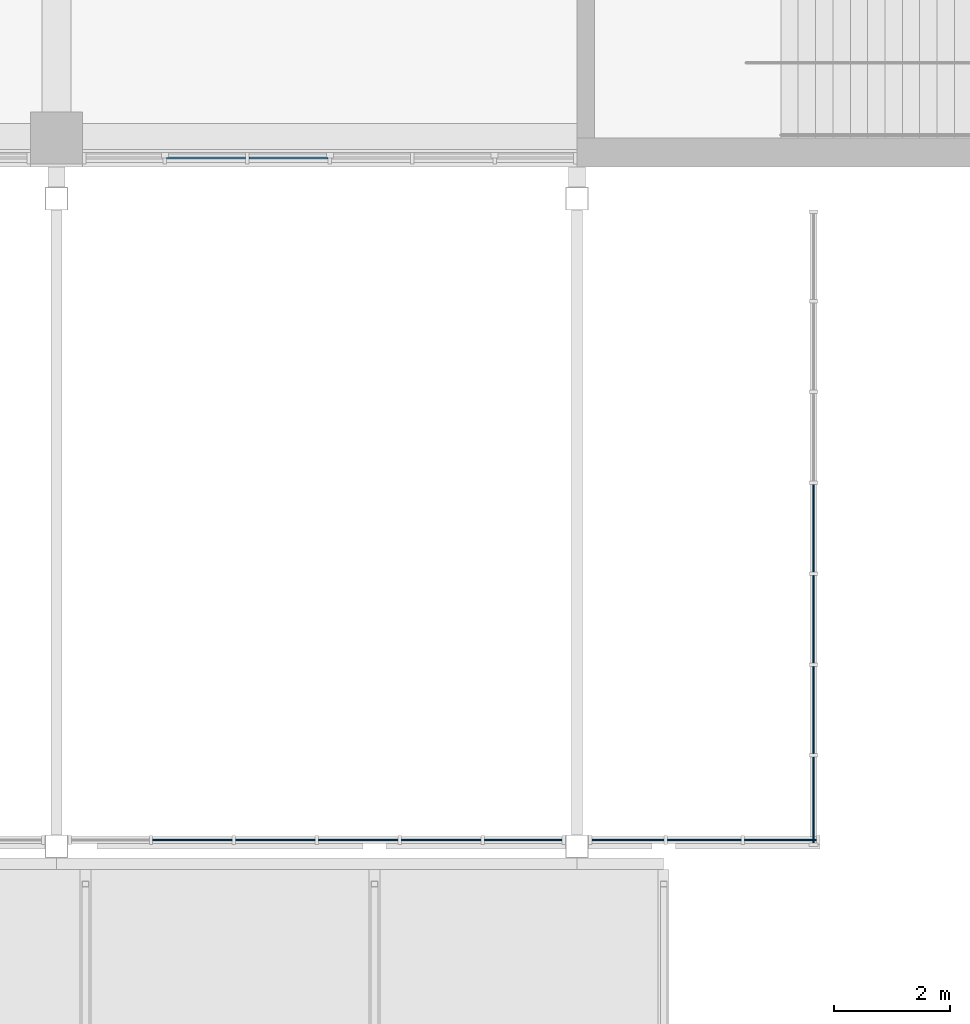
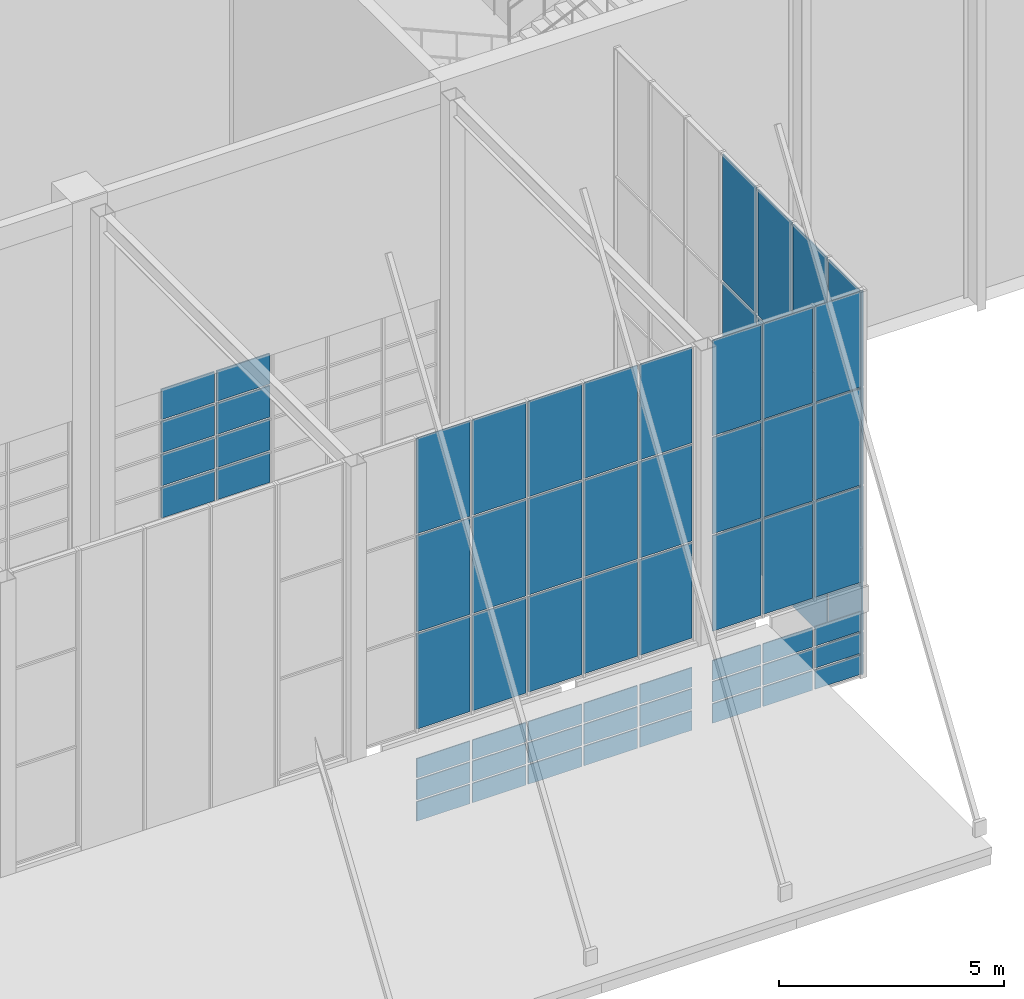
# One storey, part 72 of 182: 68 plates, 6 elements without a shape of their own.
"""IFC4 building model written with IfcOpenShell, lengths in metres."""

from ifc_helpers import new_model, si_unit, direction, frame, origin, origin_2d, place, context, subcontext, project, spatial, rectangle, extrude, material, layer, layer_set, type_object, element, aggregate, save


model = new_model("IFC4")

# Units and contexts
model_context = context("Model", 3, precision=1e-05, world=origin(), true_north=direction((0.0, 1.0)))
body_context = subcontext(model_context, "Body", "Model", "MODEL_VIEW")
ifc_project = project(units=[si_unit("LENGTHUNIT", "METRE"), si_unit("AREAUNIT", "SQUARE_METRE"), si_unit("VOLUMEUNIT", "CUBIC_METRE"), si_unit("PLANEANGLEUNIT", "RADIAN"), si_unit("MASSUNIT", "GRAM", prefix="KILO")], contexts=[model_context])

# Site, building, storey
site_placement = place(None, origin())
site = spatial("IfcSite", under=ifc_project, at=site_placement, CompositionType="ELEMENT")
building_placement = place(site_placement, origin())
building = spatial("IfcBuilding", under=site, at=building_placement, Name="Silverbay Arena", CompositionType="ELEMENT")
storey_placement = place(building_placement, frame((0.0, 0.0, 11.5)))
storey = spatial("IfcBuildingStorey", under=building, at=storey_placement, Name="L02", CompositionType="ELEMENT", Elevation=11.5)

# Curtain wall, plates
ifc_material_1 = material(Name="Aluminium framed curtain wall", Category="aluminium")
curtain_wall_type_1 = type_object("IfcCurtainWallType", Name="Curtain wall 8600 x 1800", PredefinedType="NOTDEFINED", material=ifc_material_1)
curtain_wall_1_placement = place(storey_placement, origin())
curtain_wall_1 = element("IfcCurtainWall", 1, at=curtain_wall_1_placement, inside=storey, type_object=curtain_wall_type_1, Name="South entrance hall S1 glazing F2", PredefinedType="NOTDEFINED")
ifc_material_2 = material(Name="Laminated glass", Category="glass")
ifc_layer_1 = layer(ifc_material_2, 0.028076171875)
ifc_layer_set_1 = layer_set([ifc_layer_1], Name="Laminated glass")
plate_type_1 = type_object("IfcPlateType", Name="Glass panel 28", PredefinedType="CURTAIN_PANEL", material=ifc_layer_set_1)
plate_1_placement = place(storey_placement, frame((137.35009765625, 5.860107421875, 0.050048828125), z_axis=(0.0, 0.0, 1.0), x_axis=(1.0, 0.0, 0.0)))
plate_1 = element("IfcPlate", 2, at=plate_1_placement, type_object=plate_type_1, Name="CW25 panel 2.1", PredefinedType="CURTAIN_PANEL", context=body_context, shape_type="SweptSolid", body=[
    extrude(rectangle(XDim=1.373291015625, YDim=0.028076171875, at=origin_2d()), origin(), (0.0, 0.0, 1.0), 0.52490234375),
])
plate_2_placement = place(storey_placement, frame((137.35009765625, 5.860107421875, 0.625), z_axis=(0.0, 0.0, 1.0), x_axis=(1.0, 0.0, 0.0)))
plate_2 = element("IfcPlate", 3, at=plate_2_placement, type_object=plate_type_1, Name="CW25 panel 2.2", PredefinedType="CURTAIN_PANEL", context=body_context, shape_type="SweptSolid", body=[
    extrude(rectangle(XDim=1.373291015625, YDim=0.028076171875, at=origin_2d()), origin(), (0.0, 0.0, 1.0), 0.550048828125),
])
plate_3_placement = place(storey_placement, frame((137.35009765625, 5.860107421875, 1.22509765625), z_axis=(0.0, 0.0, 1.0), x_axis=(1.0, 0.0, 0.0)))
plate_3 = element("IfcPlate", 4, at=plate_3_placement, type_object=plate_type_1, Name="CW25 panel 2.3", PredefinedType="CURTAIN_PANEL", context=body_context, shape_type="SweptSolid", body=[
    extrude(rectangle(XDim=1.373291015625, YDim=0.028076171875, at=origin_2d()), origin(), (0.0, 0.0, 1.0), 0.52490234375),
])
plate_4_placement = place(storey_placement, frame((138.783447265625, 5.860107421875, 0.050048828125), z_axis=(0.0, 0.0, 1.0), x_axis=(1.0, 0.0, 0.0)))
plate_4 = element("IfcPlate", 5, at=plate_4_placement, type_object=plate_type_1, Name="CW25 panel 3.1", PredefinedType="CURTAIN_PANEL", context=body_context, shape_type="SweptSolid", body=[
    extrude(rectangle(XDim=1.373291015625, YDim=0.028076171875, at=origin_2d()), origin(), (0.0, 0.0, 1.0), 0.52490234375),
])
plate_5_placement = place(storey_placement, frame((138.783447265625, 5.860107421875, 0.625), z_axis=(0.0, 0.0, 1.0), x_axis=(1.0, 0.0, 0.0)))
plate_5 = element("IfcPlate", 6, at=plate_5_placement, type_object=plate_type_1, Name="CW25 panel 3.2", PredefinedType="CURTAIN_PANEL", context=body_context, shape_type="SweptSolid", body=[
    extrude(rectangle(XDim=1.373291015625, YDim=0.028076171875, at=origin_2d()), origin(), (0.0, 0.0, 1.0), 0.550048828125),
])
plate_6_placement = place(storey_placement, frame((138.783447265625, 5.860107421875, 1.22509765625), z_axis=(0.0, 0.0, 1.0), x_axis=(1.0, 0.0, 0.0)))
plate_6 = element("IfcPlate", 7, at=plate_6_placement, type_object=plate_type_1, Name="CW25 panel 3.3", PredefinedType="CURTAIN_PANEL", context=body_context, shape_type="SweptSolid", body=[
    extrude(rectangle(XDim=1.373291015625, YDim=0.028076171875, at=origin_2d()), origin(), (0.0, 0.0, 1.0), 0.52490234375),
])
plate_7_placement = place(storey_placement, frame((140.216552734375, 5.860107421875, 0.050048828125), z_axis=(0.0, 0.0, 1.0), x_axis=(1.0, 0.0, 0.0)))
plate_7 = element("IfcPlate", 8, at=plate_7_placement, type_object=plate_type_1, Name="CW25 panel 4.1", PredefinedType="CURTAIN_PANEL", context=body_context, shape_type="SweptSolid", body=[
    extrude(rectangle(XDim=1.373291015625, YDim=0.028076171875, at=origin_2d()), origin(), (0.0, 0.0, 1.0), 0.52490234375),
])
plate_8_placement = place(storey_placement, frame((140.216552734375, 5.860107421875, 0.625), z_axis=(0.0, 0.0, 1.0), x_axis=(1.0, 0.0, 0.0)))
plate_8 = element("IfcPlate", 9, at=plate_8_placement, type_object=plate_type_1, Name="CW25 panel 4.2", PredefinedType="CURTAIN_PANEL", context=body_context, shape_type="SweptSolid", body=[
    extrude(rectangle(XDim=1.373291015625, YDim=0.028076171875, at=origin_2d()), origin(), (0.0, 0.0, 1.0), 0.550048828125),
])
plate_9_placement = place(storey_placement, frame((140.216552734375, 5.860107421875, 1.22509765625), z_axis=(0.0, 0.0, 1.0), x_axis=(1.0, 0.0, 0.0)))
plate_9 = element("IfcPlate", 10, at=plate_9_placement, type_object=plate_type_1, Name="CW25 panel 4.3", PredefinedType="CURTAIN_PANEL", context=body_context, shape_type="SweptSolid", body=[
    extrude(rectangle(XDim=1.373291015625, YDim=0.028076171875, at=origin_2d()), origin(), (0.0, 0.0, 1.0), 0.52490234375),
])
plate_10_placement = place(storey_placement, frame((141.64990234375, 5.860107421875, 0.050048828125), z_axis=(0.0, 0.0, 1.0), x_axis=(1.0, 0.0, 0.0)))
plate_10 = element("IfcPlate", 11, at=plate_10_placement, type_object=plate_type_1, Name="CW25 panel 5.1", PredefinedType="CURTAIN_PANEL", context=body_context, shape_type="SweptSolid", body=[
    extrude(rectangle(XDim=1.373291015625, YDim=0.028076171875, at=origin_2d()), origin(), (0.0, 0.0, 1.0), 0.52490234375),
])
plate_11_placement = place(storey_placement, frame((141.64990234375, 5.860107421875, 0.625), z_axis=(0.0, 0.0, 1.0), x_axis=(1.0, 0.0, 0.0)))
plate_11 = element("IfcPlate", 12, at=plate_11_placement, type_object=plate_type_1, Name="CW25 panel 5.2", PredefinedType="CURTAIN_PANEL", context=body_context, shape_type="SweptSolid", body=[
    extrude(rectangle(XDim=1.373291015625, YDim=0.028076171875, at=origin_2d()), origin(), (0.0, 0.0, 1.0), 0.550048828125),
])
plate_12_placement = place(storey_placement, frame((141.64990234375, 5.860107421875, 1.22509765625), z_axis=(0.0, 0.0, 1.0), x_axis=(1.0, 0.0, 0.0)))
plate_12 = element("IfcPlate", 13, at=plate_12_placement, type_object=plate_type_1, Name="CW25 panel 5.3", PredefinedType="CURTAIN_PANEL", context=body_context, shape_type="SweptSolid", body=[
    extrude(rectangle(XDim=1.373291015625, YDim=0.028076171875, at=origin_2d()), origin(), (0.0, 0.0, 1.0), 0.52490234375),
])
plate_13_placement = place(storey_placement, frame((143.068359375, 5.860107421875, 0.050048828125), z_axis=(0.0, 0.0, 1.0), x_axis=(1.0, 0.0, 0.0)))
plate_13 = element("IfcPlate", 14, at=plate_13_placement, type_object=plate_type_1, Name="CW25 panel 6.1", PredefinedType="CURTAIN_PANEL", context=body_context, shape_type="SweptSolid", body=[
    extrude(rectangle(XDim=1.34326171875, YDim=0.028076171875, at=origin_2d()), origin(), (0.0, 0.0, 1.0), 0.52490234375),
])
plate_14_placement = place(storey_placement, frame((143.068359375, 5.860107421875, 0.625), z_axis=(0.0, 0.0, 1.0), x_axis=(1.0, 0.0, 0.0)))
plate_14 = element("IfcPlate", 15, at=plate_14_placement, type_object=plate_type_1, Name="CW25 panel 6.2", PredefinedType="CURTAIN_PANEL", context=body_context, shape_type="SweptSolid", body=[
    extrude(rectangle(XDim=1.34326171875, YDim=0.028076171875, at=origin_2d()), origin(), (0.0, 0.0, 1.0), 0.550048828125),
])
plate_15_placement = place(storey_placement, frame((143.068359375, 5.860107421875, 1.22509765625), z_axis=(0.0, 0.0, 1.0), x_axis=(1.0, 0.0, 0.0)))
plate_15 = element("IfcPlate", 16, at=plate_15_placement, type_object=plate_type_1, Name="CW25 panel 6.3", PredefinedType="CURTAIN_PANEL", context=body_context, shape_type="SweptSolid", body=[
    extrude(rectangle(XDim=1.34326171875, YDim=0.028076171875, at=origin_2d()), origin(), (0.0, 0.0, 1.0), 0.52490234375),
])
aggregate(curtain_wall_1, [plate_1, plate_2, plate_3, plate_4, plate_5, plate_6, plate_7, plate_8, plate_9, plate_10, plate_11, plate_12, plate_13, plate_14, plate_15])

ifc_material_3 = material(Name="Aluminium framed curtain wall", Category="aluminium")
curtain_wall_type_2 = type_object("IfcCurtainWallType", Name="Curtain wall 8600 x 8000", PredefinedType="NOTDEFINED", material=ifc_material_3)
curtain_wall_2_placement = place(storey_placement, origin())
curtain_wall_2 = element("IfcCurtainWall", 17, at=curtain_wall_2_placement, inside=storey, type_object=curtain_wall_type_2, Name="South entrance hall S1 glazing F2", PredefinedType="NOTDEFINED")
plate_16_placement = place(storey_placement, frame((137.35009765625, 5.860107421875, 2.55029296875), z_axis=(0.0, 0.0, 1.0), x_axis=(1.0, 0.0, 0.0)))
plate_16 = element("IfcPlate", 18, at=plate_16_placement, type_object=plate_type_1, Name="CW26 panel 2.1", PredefinedType="CURTAIN_PANEL", context=body_context, shape_type="SweptSolid", body=[
    extrude(rectangle(XDim=1.373291015625, YDim=0.028076171875, at=origin_2d()), origin(), (0.0, 0.0, 1.0), 2.591552734375),
])
plate_17_placement = place(storey_placement, frame((137.35009765625, 5.860107421875, 5.191650390625), z_axis=(0.0, 0.0, 1.0), x_axis=(1.0, 0.0, 0.0)))
plate_17 = element("IfcPlate", 19, at=plate_17_placement, type_object=plate_type_1, Name="CW26 panel 2.2", PredefinedType="CURTAIN_PANEL", context=body_context, shape_type="SweptSolid", body=[
    extrude(rectangle(XDim=1.373291015625, YDim=0.028076171875, at=origin_2d()), origin(), (0.0, 0.0, 1.0), 2.61669921875),
])
plate_18_placement = place(storey_placement, frame((137.35009765625, 5.860107421875, 7.8583984375), z_axis=(0.0, 0.0, 1.0), x_axis=(1.0, 0.0, 0.0)))
plate_18 = element("IfcPlate", 20, at=plate_18_placement, type_object=plate_type_1, Name="CW26 panel 2.3", PredefinedType="CURTAIN_PANEL", context=body_context, shape_type="SweptSolid", body=[
    extrude(rectangle(XDim=1.373291015625, YDim=0.028076171875, at=origin_2d()), origin(), (0.0, 0.0, 1.0), 2.591552734375),
])
plate_19_placement = place(storey_placement, frame((138.783447265625, 5.860107421875, 2.55029296875), z_axis=(0.0, 0.0, 1.0), x_axis=(1.0, 0.0, 0.0)))
plate_19 = element("IfcPlate", 21, at=plate_19_placement, type_object=plate_type_1, Name="CW26 panel 3.1", PredefinedType="CURTAIN_PANEL", context=body_context, shape_type="SweptSolid", body=[
    extrude(rectangle(XDim=1.373291015625, YDim=0.028076171875, at=origin_2d()), origin(), (0.0, 0.0, 1.0), 2.591552734375),
])
plate_20_placement = place(storey_placement, frame((138.783447265625, 5.860107421875, 5.191650390625), z_axis=(0.0, 0.0, 1.0), x_axis=(1.0, 0.0, 0.0)))
plate_20 = element("IfcPlate", 22, at=plate_20_placement, type_object=plate_type_1, Name="CW26 panel 3.2", PredefinedType="CURTAIN_PANEL", context=body_context, shape_type="SweptSolid", body=[
    extrude(rectangle(XDim=1.373291015625, YDim=0.028076171875, at=origin_2d()), origin(), (0.0, 0.0, 1.0), 2.61669921875),
])
plate_21_placement = place(storey_placement, frame((138.783447265625, 5.860107421875, 7.8583984375), z_axis=(0.0, 0.0, 1.0), x_axis=(1.0, 0.0, 0.0)))
plate_21 = element("IfcPlate", 23, at=plate_21_placement, type_object=plate_type_1, Name="CW26 panel 3.3", PredefinedType="CURTAIN_PANEL", context=body_context, shape_type="SweptSolid", body=[
    extrude(rectangle(XDim=1.373291015625, YDim=0.028076171875, at=origin_2d()), origin(), (0.0, 0.0, 1.0), 2.591552734375),
])
plate_22_placement = place(storey_placement, frame((140.216552734375, 5.860107421875, 2.55029296875), z_axis=(0.0, 0.0, 1.0), x_axis=(1.0, 0.0, 0.0)))
plate_22 = element("IfcPlate", 24, at=plate_22_placement, type_object=plate_type_1, Name="CW26 panel 4.1", PredefinedType="CURTAIN_PANEL", context=body_context, shape_type="SweptSolid", body=[
    extrude(rectangle(XDim=1.373291015625, YDim=0.028076171875, at=origin_2d()), origin(), (0.0, 0.0, 1.0), 2.591552734375),
])
plate_23_placement = place(storey_placement, frame((140.216552734375, 5.860107421875, 5.191650390625), z_axis=(0.0, 0.0, 1.0), x_axis=(1.0, 0.0, 0.0)))
plate_23 = element("IfcPlate", 25, at=plate_23_placement, type_object=plate_type_1, Name="CW26 panel 4.2", PredefinedType="CURTAIN_PANEL", context=body_context, shape_type="SweptSolid", body=[
    extrude(rectangle(XDim=1.373291015625, YDim=0.028076171875, at=origin_2d()), origin(), (0.0, 0.0, 1.0), 2.61669921875),
])
plate_24_placement = place(storey_placement, frame((140.216552734375, 5.860107421875, 7.8583984375), z_axis=(0.0, 0.0, 1.0), x_axis=(1.0, 0.0, 0.0)))
plate_24 = element("IfcPlate", 26, at=plate_24_placement, type_object=plate_type_1, Name="CW26 panel 4.3", PredefinedType="CURTAIN_PANEL", context=body_context, shape_type="SweptSolid", body=[
    extrude(rectangle(XDim=1.373291015625, YDim=0.028076171875, at=origin_2d()), origin(), (0.0, 0.0, 1.0), 2.591552734375),
])
plate_25_placement = place(storey_placement, frame((141.64990234375, 5.860107421875, 2.55029296875), z_axis=(0.0, 0.0, 1.0), x_axis=(1.0, 0.0, 0.0)))
plate_25 = element("IfcPlate", 27, at=plate_25_placement, type_object=plate_type_1, Name="CW26 panel 5.1", PredefinedType="CURTAIN_PANEL", context=body_context, shape_type="SweptSolid", body=[
    extrude(rectangle(XDim=1.373291015625, YDim=0.028076171875, at=origin_2d()), origin(), (0.0, 0.0, 1.0), 2.591552734375),
])
plate_26_placement = place(storey_placement, frame((141.64990234375, 5.860107421875, 5.191650390625), z_axis=(0.0, 0.0, 1.0), x_axis=(1.0, 0.0, 0.0)))
plate_26 = element("IfcPlate", 28, at=plate_26_placement, type_object=plate_type_1, Name="CW26 panel 5.2", PredefinedType="CURTAIN_PANEL", context=body_context, shape_type="SweptSolid", body=[
    extrude(rectangle(XDim=1.373291015625, YDim=0.028076171875, at=origin_2d()), origin(), (0.0, 0.0, 1.0), 2.61669921875),
])
plate_27_placement = place(storey_placement, frame((141.64990234375, 5.860107421875, 7.8583984375), z_axis=(0.0, 0.0, 1.0), x_axis=(1.0, 0.0, 0.0)))
plate_27 = element("IfcPlate", 29, at=plate_27_placement, type_object=plate_type_1, Name="CW26 panel 5.3", PredefinedType="CURTAIN_PANEL", context=body_context, shape_type="SweptSolid", body=[
    extrude(rectangle(XDim=1.373291015625, YDim=0.028076171875, at=origin_2d()), origin(), (0.0, 0.0, 1.0), 2.591552734375),
])
plate_28_placement = place(storey_placement, frame((143.068359375, 5.860107421875, 2.55029296875), z_axis=(0.0, 0.0, 1.0), x_axis=(1.0, 0.0, 0.0)))
plate_28 = element("IfcPlate", 30, at=plate_28_placement, type_object=plate_type_1, Name="CW26 panel 6.1", PredefinedType="CURTAIN_PANEL", context=body_context, shape_type="SweptSolid", body=[
    extrude(rectangle(XDim=1.34326171875, YDim=0.028076171875, at=origin_2d()), origin(), (0.0, 0.0, 1.0), 2.591552734375),
])
plate_29_placement = place(storey_placement, frame((143.068359375, 5.860107421875, 5.191650390625), z_axis=(0.0, 0.0, 1.0), x_axis=(1.0, 0.0, 0.0)))
plate_29 = element("IfcPlate", 31, at=plate_29_placement, type_object=plate_type_1, Name="CW26 panel 6.2", PredefinedType="CURTAIN_PANEL", context=body_context, shape_type="SweptSolid", body=[
    extrude(rectangle(XDim=1.34326171875, YDim=0.028076171875, at=origin_2d()), origin(), (0.0, 0.0, 1.0), 2.61669921875),
])
plate_30_placement = place(storey_placement, frame((143.068359375, 5.860107421875, 7.8583984375), z_axis=(0.0, 0.0, 1.0), x_axis=(1.0, 0.0, 0.0)))
plate_30 = element("IfcPlate", 32, at=plate_30_placement, type_object=plate_type_1, Name="CW26 panel 6.3", PredefinedType="CURTAIN_PANEL", context=body_context, shape_type="SweptSolid", body=[
    extrude(rectangle(XDim=1.34326171875, YDim=0.028076171875, at=origin_2d()), origin(), (0.0, 0.0, 1.0), 2.591552734375),
])
aggregate(curtain_wall_2, [plate_16, plate_17, plate_18, plate_19, plate_20, plate_21, plate_22, plate_23, plate_24, plate_25, plate_26, plate_27, plate_28, plate_29, plate_30])

ifc_material_4 = material(Name="Aluminium framed curtain wall", Category="aluminium")
curtain_wall_type_3 = type_object("IfcCurtainWallType", Name="Curtain wall 4000 x 1800", PredefinedType="NOTDEFINED", material=ifc_material_4)
curtain_wall_3_placement = place(storey_placement, origin())
curtain_wall_3 = element("IfcCurtainWall", 33, at=curtain_wall_3_placement, inside=storey, type_object=curtain_wall_type_3, Name="South entrance hall S1 glazing F-b", PredefinedType="NOTDEFINED")
plate_31_placement = place(storey_placement, frame((144.881591796875, 5.860107421875, 0.050048828125), z_axis=(0.0, 0.0, 1.0), x_axis=(1.0, 0.0, 0.0)))
plate_31 = element("IfcPlate", 34, at=plate_31_placement, type_object=plate_type_1, Name="CW33 panel 1.1", PredefinedType="CURTAIN_PANEL", context=body_context, shape_type="SweptSolid", body=[
    extrude(rectangle(XDim=1.243408203125, YDim=0.028076171875, at=origin_2d()), origin(), (0.0, 0.0, 1.0), 0.52490234375),
])
plate_32_placement = place(storey_placement, frame((144.881591796875, 5.860107421875, 0.625), z_axis=(0.0, 0.0, 1.0), x_axis=(1.0, 0.0, 0.0)))
plate_32 = element("IfcPlate", 35, at=plate_32_placement, type_object=plate_type_1, Name="CW33 panel 1.2", PredefinedType="CURTAIN_PANEL", context=body_context, shape_type="SweptSolid", body=[
    extrude(rectangle(XDim=1.243408203125, YDim=0.028076171875, at=origin_2d()), origin(), (0.0, 0.0, 1.0), 0.550048828125),
])
plate_33_placement = place(storey_placement, frame((144.881591796875, 5.860107421875, 1.22509765625), z_axis=(0.0, 0.0, 1.0), x_axis=(1.0, 0.0, 0.0)))
plate_33 = element("IfcPlate", 36, at=plate_33_placement, type_object=plate_type_1, Name="CW33 panel 1.3", PredefinedType="CURTAIN_PANEL", context=body_context, shape_type="SweptSolid", body=[
    extrude(rectangle(XDim=1.243408203125, YDim=0.028076171875, at=origin_2d()), origin(), (0.0, 0.0, 1.0), 0.52490234375),
])
plate_34_placement = place(storey_placement, frame((146.199951171875, 5.860107421875, 0.050048828125), z_axis=(0.0, 0.0, 1.0), x_axis=(1.0, 0.0, 0.0)))
plate_34 = element("IfcPlate", 37, at=plate_34_placement, type_object=plate_type_1, Name="CW33 panel 2.1", PredefinedType="CURTAIN_PANEL", context=body_context, shape_type="SweptSolid", body=[
    extrude(rectangle(XDim=1.2734375, YDim=0.028076171875, at=origin_2d()), origin(), (0.0, 0.0, 1.0), 0.52490234375),
])
plate_35_placement = place(storey_placement, frame((146.199951171875, 5.860107421875, 0.625), z_axis=(0.0, 0.0, 1.0), x_axis=(1.0, 0.0, 0.0)))
plate_35 = element("IfcPlate", 38, at=plate_35_placement, type_object=plate_type_1, Name="CW33 panel 2.2", PredefinedType="CURTAIN_PANEL", context=body_context, shape_type="SweptSolid", body=[
    extrude(rectangle(XDim=1.2734375, YDim=0.028076171875, at=origin_2d()), origin(), (0.0, 0.0, 1.0), 0.550048828125),
])
plate_36_placement = place(storey_placement, frame((146.199951171875, 5.860107421875, 1.22509765625), z_axis=(0.0, 0.0, 1.0), x_axis=(1.0, 0.0, 0.0)))
plate_36 = element("IfcPlate", 39, at=plate_36_placement, type_object=plate_type_1, Name="CW33 panel 2.3", PredefinedType="CURTAIN_PANEL", context=body_context, shape_type="SweptSolid", body=[
    extrude(rectangle(XDim=1.2734375, YDim=0.028076171875, at=origin_2d()), origin(), (0.0, 0.0, 1.0), 0.52490234375),
])
plate_37_placement = place(storey_placement, frame((147.518310546875, 5.860107421875, 0.050048828125), z_axis=(0.0, 0.0, 1.0), x_axis=(1.0, 0.0, 0.0)))
plate_37 = element("IfcPlate", 40, at=plate_37_placement, type_object=plate_type_1, Name="CW33 panel 3.1", PredefinedType="CURTAIN_PANEL", context=body_context, shape_type="SweptSolid", body=[
    extrude(rectangle(XDim=1.243408203125, YDim=0.028076171875, at=origin_2d()), origin(), (0.0, 0.0, 1.0), 0.52490234375),
])
plate_38_placement = place(storey_placement, frame((147.518310546875, 5.860107421875, 0.625), z_axis=(0.0, 0.0, 1.0), x_axis=(1.0, 0.0, 0.0)))
plate_38 = element("IfcPlate", 41, at=plate_38_placement, type_object=plate_type_1, Name="CW33 panel 3.2", PredefinedType="CURTAIN_PANEL", context=body_context, shape_type="SweptSolid", body=[
    extrude(rectangle(XDim=1.243408203125, YDim=0.028076171875, at=origin_2d()), origin(), (0.0, 0.0, 1.0), 0.550048828125),
])
plate_39_placement = place(storey_placement, frame((147.518310546875, 5.860107421875, 1.22509765625), z_axis=(0.0, 0.0, 1.0), x_axis=(1.0, 0.0, 0.0)))
plate_39 = element("IfcPlate", 42, at=plate_39_placement, type_object=plate_type_1, Name="CW33 panel 3.3", PredefinedType="CURTAIN_PANEL", context=body_context, shape_type="SweptSolid", body=[
    extrude(rectangle(XDim=1.243408203125, YDim=0.028076171875, at=origin_2d()), origin(), (0.0, 0.0, 1.0), 0.52490234375),
])
aggregate(curtain_wall_3, [plate_31, plate_32, plate_33, plate_34, plate_35, plate_36, plate_37, plate_38, plate_39])

ifc_material_5 = material(Name="Aluminium framed curtain wall", Category="aluminium")
curtain_wall_type_4 = type_object("IfcCurtainWallType", Name="Curtain wall 4000 x 8000", PredefinedType="NOTDEFINED", material=ifc_material_5)
curtain_wall_4_placement = place(storey_placement, origin())
curtain_wall_4 = element("IfcCurtainWall", 43, at=curtain_wall_4_placement, inside=storey, type_object=curtain_wall_type_4, Name="South entrance hall S1 glazing F-b", PredefinedType="NOTDEFINED")
plate_40_placement = place(storey_placement, frame((144.881591796875, 5.860107421875, 2.55029296875), z_axis=(0.0, 0.0, 1.0), x_axis=(1.0, 0.0, 0.0)))
plate_40 = element("IfcPlate", 44, at=plate_40_placement, type_object=plate_type_1, Name="CW34 panel 1.1", PredefinedType="CURTAIN_PANEL", context=body_context, shape_type="SweptSolid", body=[
    extrude(rectangle(XDim=1.243408203125, YDim=0.028076171875, at=origin_2d()), origin(), (0.0, 0.0, 1.0), 2.591552734375),
])
plate_41_placement = place(storey_placement, frame((144.881591796875, 5.860107421875, 5.191650390625), z_axis=(0.0, 0.0, 1.0), x_axis=(1.0, 0.0, 0.0)))
plate_41 = element("IfcPlate", 45, at=plate_41_placement, type_object=plate_type_1, Name="CW34 panel 1.2", PredefinedType="CURTAIN_PANEL", context=body_context, shape_type="SweptSolid", body=[
    extrude(rectangle(XDim=1.243408203125, YDim=0.028076171875, at=origin_2d()), origin(), (0.0, 0.0, 1.0), 2.61669921875),
])
plate_42_placement = place(storey_placement, frame((144.881591796875, 5.860107421875, 7.8583984375), z_axis=(0.0, 0.0, 1.0), x_axis=(1.0, 0.0, 0.0)))
plate_42 = element("IfcPlate", 46, at=plate_42_placement, type_object=plate_type_1, Name="CW34 panel 1.3", PredefinedType="CURTAIN_PANEL", context=body_context, shape_type="SweptSolid", body=[
    extrude(rectangle(XDim=1.243408203125, YDim=0.028076171875, at=origin_2d()), origin(), (0.0, 0.0, 1.0), 2.591552734375),
])
plate_43_placement = place(storey_placement, frame((146.199951171875, 5.860107421875, 2.55029296875), z_axis=(0.0, 0.0, 1.0), x_axis=(1.0, 0.0, 0.0)))
plate_43 = element("IfcPlate", 47, at=plate_43_placement, type_object=plate_type_1, Name="CW34 panel 2.1", PredefinedType="CURTAIN_PANEL", context=body_context, shape_type="SweptSolid", body=[
    extrude(rectangle(XDim=1.2734375, YDim=0.028076171875, at=origin_2d()), origin(), (0.0, 0.0, 1.0), 2.591552734375),
])
plate_44_placement = place(storey_placement, frame((146.199951171875, 5.860107421875, 5.191650390625), z_axis=(0.0, 0.0, 1.0), x_axis=(1.0, 0.0, 0.0)))
plate_44 = element("IfcPlate", 48, at=plate_44_placement, type_object=plate_type_1, Name="CW34 panel 2.2", PredefinedType="CURTAIN_PANEL", context=body_context, shape_type="SweptSolid", body=[
    extrude(rectangle(XDim=1.2734375, YDim=0.028076171875, at=origin_2d()), origin(), (0.0, 0.0, 1.0), 2.61669921875),
])
plate_45_placement = place(storey_placement, frame((146.199951171875, 5.860107421875, 7.8583984375), z_axis=(0.0, 0.0, 1.0), x_axis=(1.0, 0.0, 0.0)))
plate_45 = element("IfcPlate", 49, at=plate_45_placement, type_object=plate_type_1, Name="CW34 panel 2.3", PredefinedType="CURTAIN_PANEL", context=body_context, shape_type="SweptSolid", body=[
    extrude(rectangle(XDim=1.2734375, YDim=0.028076171875, at=origin_2d()), origin(), (0.0, 0.0, 1.0), 2.591552734375),
])
plate_46_placement = place(storey_placement, frame((147.518310546875, 5.860107421875, 2.55029296875), z_axis=(0.0, 0.0, 1.0), x_axis=(1.0, 0.0, 0.0)))
plate_46 = element("IfcPlate", 50, at=plate_46_placement, type_object=plate_type_1, Name="CW34 panel 3.1", PredefinedType="CURTAIN_PANEL", context=body_context, shape_type="SweptSolid", body=[
    extrude(rectangle(XDim=1.243408203125, YDim=0.028076171875, at=origin_2d()), origin(), (0.0, 0.0, 1.0), 2.591552734375),
])
plate_47_placement = place(storey_placement, frame((147.518310546875, 5.860107421875, 5.191650390625), z_axis=(0.0, 0.0, 1.0), x_axis=(1.0, 0.0, 0.0)))
plate_47 = element("IfcPlate", 51, at=plate_47_placement, type_object=plate_type_1, Name="CW34 panel 3.2", PredefinedType="CURTAIN_PANEL", context=body_context, shape_type="SweptSolid", body=[
    extrude(rectangle(XDim=1.243408203125, YDim=0.028076171875, at=origin_2d()), origin(), (0.0, 0.0, 1.0), 2.61669921875),
])
plate_48_placement = place(storey_placement, frame((147.518310546875, 5.860107421875, 7.8583984375), z_axis=(0.0, 0.0, 1.0), x_axis=(1.0, 0.0, 0.0)))
plate_48 = element("IfcPlate", 52, at=plate_48_placement, type_object=plate_type_1, Name="CW34 panel 3.3", PredefinedType="CURTAIN_PANEL", context=body_context, shape_type="SweptSolid", body=[
    extrude(rectangle(XDim=1.243408203125, YDim=0.028076171875, at=origin_2d()), origin(), (0.0, 0.0, 1.0), 2.591552734375),
])
aggregate(curtain_wall_4, [plate_40, plate_41, plate_42, plate_43, plate_44, plate_45, plate_46, plate_47, plate_48])

ifc_material_6 = material(Name="Aluminium framed curtain wall", Category="aluminium")
curtain_wall_type_5 = type_object("IfcCurtainWallType", Name="Curtain wall 11000 x 10500", PredefinedType="NOTDEFINED", material=ifc_material_6)
curtain_wall_5_placement = place(storey_placement, origin())
curtain_wall_5 = element("IfcCurtainWall", 53, at=curtain_wall_5_placement, inside=storey, type_object=curtain_wall_type_5, Name="South entrance hall S1 glazing SB", PredefinedType="NOTDEFINED")
plate_49_placement = place(storey_placement, frame((148.090087890625, 6.55078125, 0.0498046875), z_axis=(0.0, 0.0, 1.0), x_axis=(0.0, 1.0, 0.0)))
plate_49 = element("IfcPlate", 54, at=plate_49_placement, type_object=plate_type_1, Name="CW37 panel 1.1", PredefinedType="CURTAIN_PANEL", context=body_context, shape_type="SweptSolid", body=[
    extrude(rectangle(XDim=1.4814453125, YDim=0.028076171875, at=origin_2d()), origin(), (0.0, 0.0, 1.0), 3.425048828125),
])
plate_50_placement = place(storey_placement, frame((148.090087890625, 6.55078125, 3.52490234375), z_axis=(0.0, 0.0, 1.0), x_axis=(0.0, 1.0, 0.0)))
plate_50 = element("IfcPlate", 55, at=plate_50_placement, type_object=plate_type_1, Name="CW37 panel 1.2", PredefinedType="CURTAIN_PANEL", context=body_context, shape_type="SweptSolid", body=[
    extrude(rectangle(XDim=1.4814453125, YDim=0.028076171875, at=origin_2d()), origin(), (0.0, 0.0, 1.0), 3.449951171875),
])
plate_51_placement = place(storey_placement, frame((148.090087890625, 6.55078125, 7.02490234375), z_axis=(0.0, 0.0, 1.0), x_axis=(0.0, 1.0, 0.0)))
plate_51 = element("IfcPlate", 56, at=plate_51_placement, type_object=plate_type_1, Name="CW37 panel 1.3", PredefinedType="CURTAIN_PANEL", context=body_context, shape_type="SweptSolid", body=[
    extrude(rectangle(XDim=1.4814453125, YDim=0.028076171875, at=origin_2d()), origin(), (0.0, 0.0, 1.0), 3.425048828125),
])
plate_52_placement = place(storey_placement, frame((148.090087890625, 8.107177734375, 0.0498046875), z_axis=(0.0, 0.0, 1.0), x_axis=(0.0, 1.0, 0.0)))
plate_52 = element("IfcPlate", 57, at=plate_52_placement, type_object=plate_type_1, Name="CW37 panel 2.1", PredefinedType="CURTAIN_PANEL", context=body_context, shape_type="SweptSolid", body=[
    extrude(rectangle(XDim=1.511474609375, YDim=0.028076171875, at=origin_2d()), origin(), (0.0, 0.0, 1.0), 3.425048828125),
])
plate_53_placement = place(storey_placement, frame((148.090087890625, 8.107177734375, 3.52490234375), z_axis=(0.0, 0.0, 1.0), x_axis=(0.0, 1.0, 0.0)))
plate_53 = element("IfcPlate", 58, at=plate_53_placement, type_object=plate_type_1, Name="CW37 panel 2.2", PredefinedType="CURTAIN_PANEL", context=body_context, shape_type="SweptSolid", body=[
    extrude(rectangle(XDim=1.511474609375, YDim=0.028076171875, at=origin_2d()), origin(), (0.0, 0.0, 1.0), 3.449951171875),
])
plate_54_placement = place(storey_placement, frame((148.090087890625, 8.107177734375, 7.02490234375), z_axis=(0.0, 0.0, 1.0), x_axis=(0.0, 1.0, 0.0)))
plate_54 = element("IfcPlate", 59, at=plate_54_placement, type_object=plate_type_1, Name="CW37 panel 2.3", PredefinedType="CURTAIN_PANEL", context=body_context, shape_type="SweptSolid", body=[
    extrude(rectangle(XDim=1.511474609375, YDim=0.028076171875, at=origin_2d()), origin(), (0.0, 0.0, 1.0), 3.425048828125),
])
plate_55_placement = place(storey_placement, frame((148.090087890625, 9.678466796875, 0.0498046875), z_axis=(0.0, 0.0, 1.0), x_axis=(0.0, 1.0, 0.0)))
plate_55 = element("IfcPlate", 60, at=plate_55_placement, type_object=plate_type_1, Name="CW37 panel 3.1", PredefinedType="CURTAIN_PANEL", context=body_context, shape_type="SweptSolid", body=[
    extrude(rectangle(XDim=1.511474609375, YDim=0.028076171875, at=origin_2d()), origin(), (0.0, 0.0, 1.0), 3.425048828125),
])
plate_56_placement = place(storey_placement, frame((148.090087890625, 9.678466796875, 3.52490234375), z_axis=(0.0, 0.0, 1.0), x_axis=(0.0, 1.0, 0.0)))
plate_56 = element("IfcPlate", 61, at=plate_56_placement, type_object=plate_type_1, Name="CW37 panel 3.2", PredefinedType="CURTAIN_PANEL", context=body_context, shape_type="SweptSolid", body=[
    extrude(rectangle(XDim=1.511474609375, YDim=0.028076171875, at=origin_2d()), origin(), (0.0, 0.0, 1.0), 3.449951171875),
])
plate_57_placement = place(storey_placement, frame((148.090087890625, 9.678466796875, 7.02490234375), z_axis=(0.0, 0.0, 1.0), x_axis=(0.0, 1.0, 0.0)))
plate_57 = element("IfcPlate", 62, at=plate_57_placement, type_object=plate_type_1, Name="CW37 panel 3.3", PredefinedType="CURTAIN_PANEL", context=body_context, shape_type="SweptSolid", body=[
    extrude(rectangle(XDim=1.511474609375, YDim=0.028076171875, at=origin_2d()), origin(), (0.0, 0.0, 1.0), 3.425048828125),
])
plate_58_placement = place(storey_placement, frame((148.090087890625, 11.25, 0.0498046875), z_axis=(0.0, 0.0, 1.0), x_axis=(0.0, 1.0, 0.0)))
plate_58 = element("IfcPlate", 63, at=plate_58_placement, type_object=plate_type_1, Name="CW37 panel 4.1", PredefinedType="CURTAIN_PANEL", context=body_context, shape_type="SweptSolid", body=[
    extrude(rectangle(XDim=1.511474609375, YDim=0.028076171875, at=origin_2d()), origin(), (0.0, 0.0, 1.0), 3.425048828125),
])
plate_59_placement = place(storey_placement, frame((148.090087890625, 11.25, 3.52490234375), z_axis=(0.0, 0.0, 1.0), x_axis=(0.0, 1.0, 0.0)))
plate_59 = element("IfcPlate", 64, at=plate_59_placement, type_object=plate_type_1, Name="CW37 panel 4.2", PredefinedType="CURTAIN_PANEL", context=body_context, shape_type="SweptSolid", body=[
    extrude(rectangle(XDim=1.511474609375, YDim=0.028076171875, at=origin_2d()), origin(), (0.0, 0.0, 1.0), 3.449951171875),
])
plate_60_placement = place(storey_placement, frame((148.090087890625, 11.25, 7.02490234375), z_axis=(0.0, 0.0, 1.0), x_axis=(0.0, 1.0, 0.0)))
plate_60 = element("IfcPlate", 65, at=plate_60_placement, type_object=plate_type_1, Name="CW37 panel 4.3", PredefinedType="CURTAIN_PANEL", context=body_context, shape_type="SweptSolid", body=[
    extrude(rectangle(XDim=1.511474609375, YDim=0.028076171875, at=origin_2d()), origin(), (0.0, 0.0, 1.0), 3.425048828125),
])
aggregate(curtain_wall_5, [plate_49, plate_50, plate_51, plate_52, plate_53, plate_54, plate_55, plate_56, plate_57, plate_58, plate_59, plate_60])

ifc_material_7 = material(Name="Aluminium framed curtain wall", Category="aluminium")
curtain_wall_type_6 = type_object("IfcCurtainWallType", Name="Curtain wall 8550 x 3600", PredefinedType="NOTDEFINED", material=ifc_material_7)
curtain_wall_6_placement = place(storey_placement, origin())
curtain_wall_6 = element("IfcCurtainWall", 66, at=curtain_wall_6_placement, inside=storey, type_object=curtain_wall_type_6, Name="South curtain wall L02 bay 10", PredefinedType="NOTDEFINED")
ifc_material_8 = material(Name="Laminated glass", Category="glass")
ifc_layer_2 = layer(ifc_material_8, 0.035888671875)
ifc_layer_set_2 = layer_set([ifc_layer_2], Name="Laminated glass")
plate_type_2 = type_object("IfcPlateType", Name="Glass panel 36", PredefinedType="CURTAIN_PANEL", material=ifc_layer_set_2)
plate_61_placement = place(storey_placement, frame((137.58740234375, 17.64990234375, 1.0498046875), z_axis=(0.0, 0.0, 1.0), x_axis=(1.0, 0.0, 0.0)))
plate_61 = element("IfcPlate", 67, at=plate_61_placement, type_object=plate_type_2, Name="CW10 panel 2.1", PredefinedType="CURTAIN_PANEL", context=body_context, shape_type="SweptSolid", body=[
    extrude(rectangle(XDim=1.364990234375, YDim=0.035888671875, at=origin_2d()), origin(), (0.0, 0.0, 1.0), 0.824951171875),
])
plate_62_placement = place(storey_placement, frame((137.58740234375, 17.64990234375, 1.925048828125), z_axis=(0.0, 0.0, 1.0), x_axis=(1.0, 0.0, 0.0)))
plate_62 = element("IfcPlate", 68, at=plate_62_placement, type_object=plate_type_2, Name="CW10 panel 2.2", PredefinedType="CURTAIN_PANEL", context=body_context, shape_type="SweptSolid", body=[
    extrude(rectangle(XDim=1.364990234375, YDim=0.035888671875, at=origin_2d()), origin(), (0.0, 0.0, 1.0), 0.85009765625),
])
plate_63_placement = place(storey_placement, frame((137.58740234375, 17.64990234375, 2.824951171875), z_axis=(0.0, 0.0, 1.0), x_axis=(1.0, 0.0, 0.0)))
plate_63 = element("IfcPlate", 69, at=plate_63_placement, type_object=plate_type_2, Name="CW10 panel 2.3", PredefinedType="CURTAIN_PANEL", context=body_context, shape_type="SweptSolid", body=[
    extrude(rectangle(XDim=1.364990234375, YDim=0.035888671875, at=origin_2d()), origin(), (0.0, 0.0, 1.0), 0.85009765625),
])
plate_64_placement = place(storey_placement, frame((137.58740234375, 17.64990234375, 3.72509765625), z_axis=(0.0, 0.0, 1.0), x_axis=(1.0, 0.0, 0.0)))
plate_64 = element("IfcPlate", 70, at=plate_64_placement, type_object=plate_type_2, Name="CW10 panel 2.4", PredefinedType="CURTAIN_PANEL", context=body_context, shape_type="SweptSolid", body=[
    extrude(rectangle(XDim=1.364990234375, YDim=0.035888671875, at=origin_2d()), origin(), (0.0, 0.0, 1.0), 0.824951171875),
])
plate_65_placement = place(storey_placement, frame((139.012451171875, 17.64990234375, 1.0498046875), z_axis=(0.0, 0.0, 1.0), x_axis=(1.0, 0.0, 0.0)))
plate_65 = element("IfcPlate", 71, at=plate_65_placement, type_object=plate_type_2, Name="CW10 panel 3.1", PredefinedType="CURTAIN_PANEL", context=body_context, shape_type="SweptSolid", body=[
    extrude(rectangle(XDim=1.364990234375, YDim=0.035888671875, at=origin_2d()), origin(), (0.0, 0.0, 1.0), 0.824951171875),
])
plate_66_placement = place(storey_placement, frame((139.012451171875, 17.64990234375, 1.925048828125), z_axis=(0.0, 0.0, 1.0), x_axis=(1.0, 0.0, 0.0)))
plate_66 = element("IfcPlate", 72, at=plate_66_placement, type_object=plate_type_2, Name="CW10 panel 3.2", PredefinedType="CURTAIN_PANEL", context=body_context, shape_type="SweptSolid", body=[
    extrude(rectangle(XDim=1.364990234375, YDim=0.035888671875, at=origin_2d()), origin(), (0.0, 0.0, 1.0), 0.85009765625),
])
plate_67_placement = place(storey_placement, frame((139.012451171875, 17.64990234375, 2.824951171875), z_axis=(0.0, 0.0, 1.0), x_axis=(1.0, 0.0, 0.0)))
plate_67 = element("IfcPlate", 73, at=plate_67_placement, type_object=plate_type_2, Name="CW10 panel 3.3", PredefinedType="CURTAIN_PANEL", context=body_context, shape_type="SweptSolid", body=[
    extrude(rectangle(XDim=1.364990234375, YDim=0.035888671875, at=origin_2d()), origin(), (0.0, 0.0, 1.0), 0.85009765625),
])
plate_68_placement = place(storey_placement, frame((139.012451171875, 17.64990234375, 3.72509765625), z_axis=(0.0, 0.0, 1.0), x_axis=(1.0, 0.0, 0.0)))
plate_68 = element("IfcPlate", 74, at=plate_68_placement, type_object=plate_type_2, Name="CW10 panel 3.4", PredefinedType="CURTAIN_PANEL", context=body_context, shape_type="SweptSolid", body=[
    extrude(rectangle(XDim=1.364990234375, YDim=0.035888671875, at=origin_2d()), origin(), (0.0, 0.0, 1.0), 0.824951171875),
])
aggregate(curtain_wall_6, [plate_61, plate_62, plate_63, plate_64, plate_65, plate_66, plate_67, plate_68])

save(model, "model.ifc")
